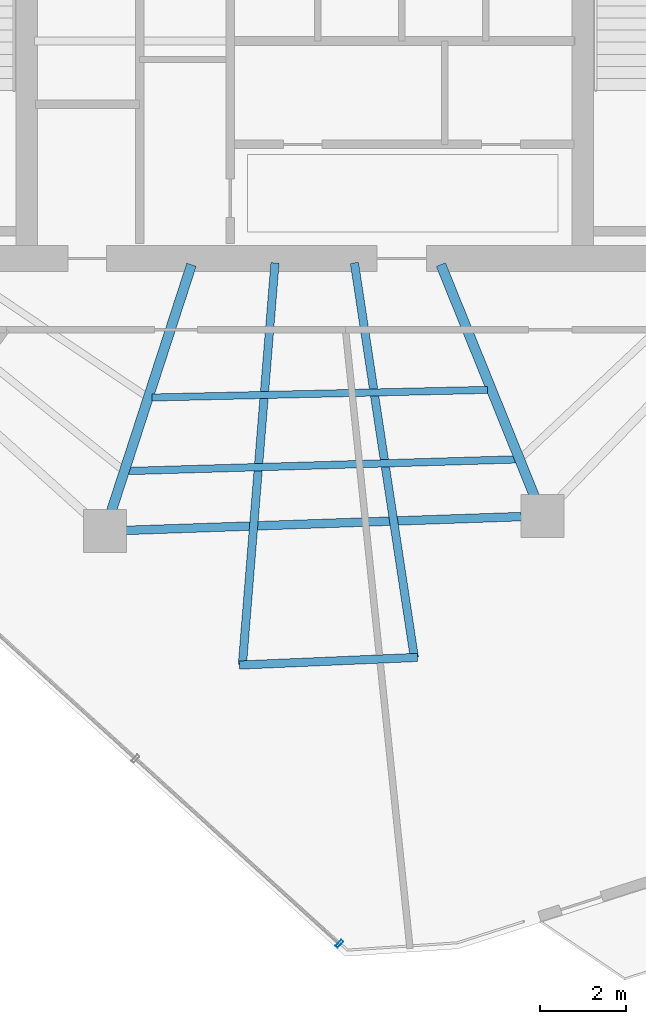
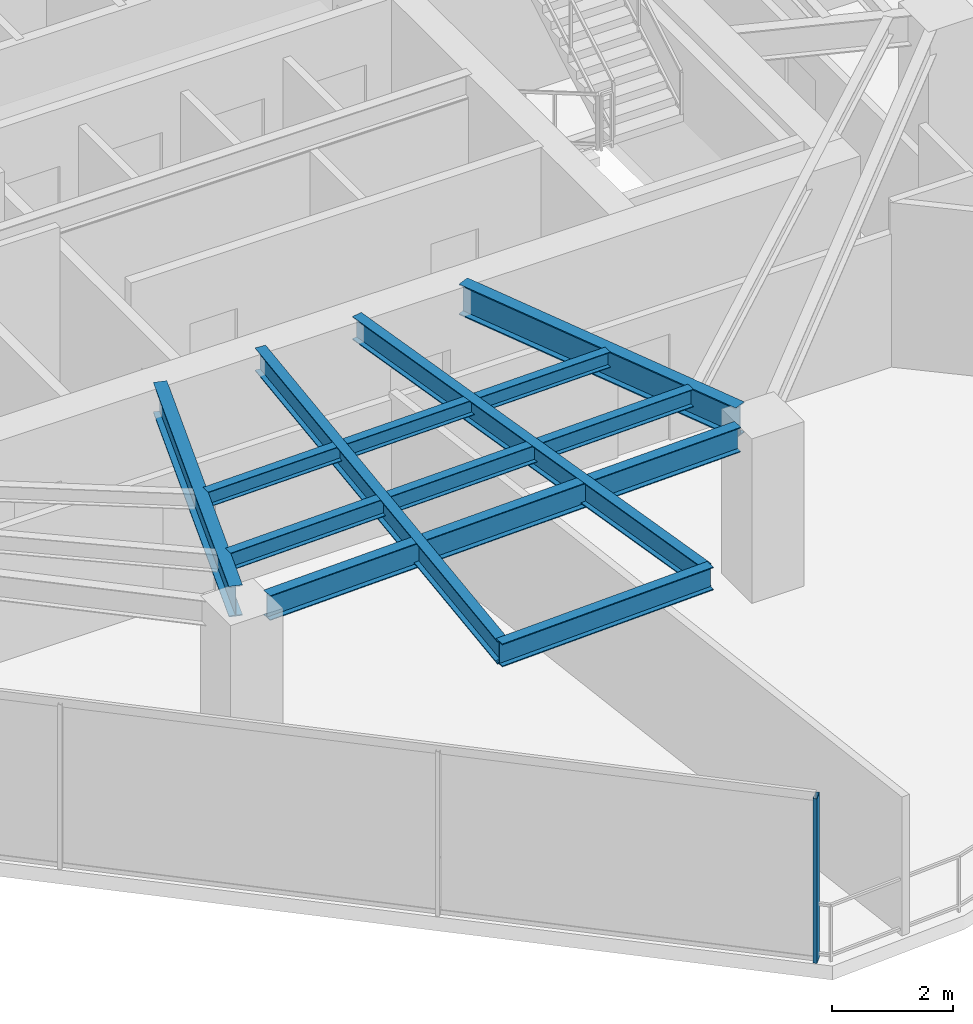
# One storey, part 5 of 21: 8 beams, 1 member, 1 element without a shape of its own.
"""IFC4 building model written with IfcOpenShell, lengths in metres."""

from ifc_helpers import new_model, si_unit, direction, frame, origin, origin_2d, place, context, subcontext, project, spatial, hollow_rectangle, i_section, extrude, material, layer, layer_set, material_profile, profile_set, type_object, element, aggregate, save


model = new_model("IFC4")

# Units and contexts
model_context = context("Model", 3, precision=1e-05, world=origin(), true_north=direction((0.0, 1.0)))
body_context = subcontext(model_context, "Body", "Model", "MODEL_VIEW")
ifc_project = project(units=[si_unit("LENGTHUNIT", "METRE"), si_unit("AREAUNIT", "SQUARE_METRE"), si_unit("VOLUMEUNIT", "CUBIC_METRE"), si_unit("PLANEANGLEUNIT", "RADIAN"), si_unit("MASSUNIT", "GRAM", prefix="KILO")], contexts=[model_context])

# Site, building, storey
site_placement = place(None, origin())
site = spatial("IfcSite", under=ifc_project, at=site_placement, CompositionType="ELEMENT")
building_placement = place(site_placement, origin())
building = spatial("IfcBuilding", under=site, at=building_placement, Name="Qarnah Convention Tower", CompositionType="ELEMENT")
storey_placement = place(building_placement, frame((0.0, 0.0, 132.89990234375)))
storey = spatial("IfcBuildingStorey", under=building, at=storey_placement, Name="L35", CompositionType="ELEMENT", Elevation=132.89990234375)

# Beams
ifc_material_1 = material(Name="Structural steel S355JR", Category="steel")
ifc_material_profile_1 = material_profile(ifc_material_1, i_section(OverallWidth=0.19189453125, OverallDepth=0.464111328125, WebThickness=0.010986328125, FlangeThickness=0.01806640625, at=origin_2d()), Name="W460X89")
ifc_profile_set_1 = profile_set([ifc_material_profile_1], Name="Structural steel S355JR")
beam_type_1 = type_object("IfcBeamType", Name="BM-CANT-W460A", PredefinedType="BEAM", material=ifc_profile_set_1)
beam_1_placement = place(storey_placement, frame((38.40087890625, 18.5009765625, 3.088134765625), z_axis=(0.150195006727, -0.988656391247, 0.0), x_axis=(0.988656391247, 0.150195006727, 0.0)))
element("IfcBeam", 1, at=beam_1_placement, inside=storey, type_object=beam_type_1, Name="L35 beam BM-L35-CNT-03-1", PredefinedType="BEAM", context=body_context, shape_type="SweptSolid", body=[
    extrude(i_section(OverallWidth=0.19189453125, OverallDepth=0.464111328125, WebThickness=0.010986328125, FlangeThickness=0.01806640625, at=origin_2d()), origin(), (0.0, 0.0, 1.0), 9.261962890625),
])
beam_2_placement = place(storey_placement, frame((36.55810546875, 18.5, 3.088134765625), z_axis=(-0.080897121946, -0.996722456685, 0.0), x_axis=(0.996722456685, -0.080897121946, 0.0)))
element("IfcBeam", 2, at=beam_2_placement, inside=storey, type_object=beam_type_1, Name="L35 beam BM-L35-CNT-03-2", PredefinedType="BEAM", context=body_context, shape_type="SweptSolid", body=[
    extrude(i_section(OverallWidth=0.19189453125, OverallDepth=0.464111328125, WebThickness=0.010986328125, FlangeThickness=0.01806640625, at=origin_2d()), origin(), (0.0, 0.0, 1.0), 9.358642578125),
])
beam_3_placement = place(storey_placement, frame((39.862060546875, 9.346923828125, 3.088134765625), z_axis=(-0.999073236436, -0.043042632785, 0.0), x_axis=(0.043042632785, -0.999073236436, 0.0)))
element("IfcBeam", 3, at=beam_3_placement, inside=storey, type_object=beam_type_1, Name="L35 spandrel BM-L35-CTIE-03", PredefinedType="SPANDREL", context=body_context, shape_type="SweptSolid", body=[
    extrude(i_section(OverallWidth=0.19189453125, OverallDepth=0.464111328125, WebThickness=0.010986328125, FlangeThickness=0.01806640625, at=origin_2d()), origin(), (0.0, 0.0, 1.0), 4.135009765625),
])
ifc_material_profile_2 = material_profile(ifc_material_1, i_section(OverallWidth=0.166015625, OverallDepth=0.31201171875, WebThickness=0.007080078125, FlangeThickness=0.010986328125, at=origin_2d()), Name="W310X45")
ifc_profile_set_2 = profile_set([ifc_material_profile_2], Name="Structural steel S355JR")
beam_type_2 = type_object("IfcBeamType", Name="BM-JST-W310", PredefinedType="JOIST", material=ifc_profile_set_2)
beam_4_placement = place(storey_placement, frame((33.7080078125, 15.376953125, 3.1640625), z_axis=(0.999741495438, 0.022736365137, 0.0), x_axis=(-0.022736365137, 0.999741495438, 0.0)))
element("IfcBeam", 4, at=beam_4_placement, inside=storey, type_object=beam_type_2, Name="L35 joist BM-L35-IJST-07", PredefinedType="JOIST", context=body_context, shape_type="SweptSolid", body=[
    extrude(i_section(OverallWidth=0.166015625, OverallDepth=0.31201171875, WebThickness=0.007080078125, FlangeThickness=0.010986328125, at=origin_2d()), origin(), (0.0, 0.0, 1.0), 7.784912109375),
])
ifc_material_profile_3 = material_profile(ifc_material_1, i_section(OverallWidth=0.172119140625, OverallDepth=0.35595703125, WebThickness=0.007080078125, FlangeThickness=0.011962890625, at=origin_2d()), Name="W360X51")
ifc_profile_set_3 = profile_set([ifc_material_profile_3], Name="Structural steel S355JR")
beam_type_3 = type_object("IfcBeamType", Name="BM-JST-W360", PredefinedType="JOIST", material=ifc_profile_set_3)
beam_5_placement = place(storey_placement, frame((33.153076171875, 13.6708984375, 3.14208984375), z_axis=(0.999549139183, 0.030025295308, 0.0), x_axis=(-0.030025295308, 0.999549139183, 0.0)))
element("IfcBeam", 5, at=beam_5_placement, inside=storey, type_object=beam_type_3, Name="L35 joist BM-L35-SJST-07", PredefinedType="JOIST", context=body_context, shape_type="SweptSolid", body=[
    extrude(i_section(OverallWidth=0.172119140625, OverallDepth=0.35595703125, WebThickness=0.007080078125, FlangeThickness=0.011962890625, at=origin_2d()), origin(), (0.0, 0.0, 1.0), 8.9931640625),
])
ifc_material_profile_4 = material_profile(ifc_material_1, i_section(OverallWidth=0.22998046875, OverallDepth=0.617919921875, WebThickness=0.012939453125, FlangeThickness=0.02197265625, at=origin_2d()), Name="W610X140")
ifc_profile_set_4 = profile_set([ifc_material_profile_4], Name="Structural steel S355JR")
beam_type_4 = type_object("IfcBeamType", Name="BM-RAD-W610A", PredefinedType="BEAM", material=ifc_profile_set_4)
beam_6_placement = place(storey_placement, frame((34.6201171875, 18.45703125, 3.010986328125), z_axis=(-0.30919796314, -0.950997696942, 0.0), x_axis=(0.950997696942, -0.30919796314, 0.0)))
element("IfcBeam", 6, at=beam_6_placement, inside=storey, type_object=beam_type_4, Name="L35 beam BM-L35-RAD-07", PredefinedType="BEAM", context=body_context, shape_type="SweptSolid", body=[
    extrude(i_section(OverallWidth=0.22998046875, OverallDepth=0.617919921875, WebThickness=0.012939453125, FlangeThickness=0.02197265625, at=origin_2d()), origin(), (0.0, 0.0, 1.0), 6.01904296875),
])
beam_7_placement = place(storey_placement, frame((40.406982421875, 18.4609375, 3.010986328125), z_axis=(0.374656949885, -0.927163507642, 0.0), x_axis=(0.927163507642, 0.374656949885, 0.0)))
element("IfcBeam", 7, at=beam_7_placement, inside=storey, type_object=beam_type_4, Name="L35 beam BM-L35-RAD-08", PredefinedType="BEAM", context=body_context, shape_type="SweptSolid", body=[
    extrude(i_section(OverallWidth=0.22998046875, OverallDepth=0.617919921875, WebThickness=0.012939453125, FlangeThickness=0.02197265625, at=origin_2d()), origin(), (0.0, 0.0, 1.0), 5.80810546875),
])
ifc_material_profile_5 = material_profile(ifc_material_1, i_section(OverallWidth=0.199951171875, OverallDepth=0.5, WebThickness=0.010009765625, FlangeThickness=0.01611328125, at=origin_2d()), Name="IPE500")
ifc_profile_set_5 = profile_set([ifc_material_profile_5], Name="Structural steel S355JR")
beam_type_5 = type_object("IfcBeamType", Name="BM-SPN-IPE500", PredefinedType="SPANDREL", material=ifc_profile_set_5)
beam_8_placement = place(storey_placement, frame((33.10107421875, 12.2939453125, 3.070068359375), z_axis=(0.999391665003, 0.034875491717, 0.0), x_axis=(-0.034875491717, 0.999391665003, 0.0)))
element("IfcBeam", 8, at=beam_8_placement, inside=storey, type_object=beam_type_5, Name="L35 spandrel BM-L35-SPN-07", PredefinedType="SPANDREL", context=body_context, shape_type="SweptSolid", body=[
    extrude(i_section(OverallWidth=0.199951171875, OverallDepth=0.5, WebThickness=0.010009765625, FlangeThickness=0.01611328125, at=origin_2d()), origin(), (0.0, 0.0, 1.0), 9.177490234375),
])

# Curtain wall, member
ifc_material_2 = material(Name="Tempered Low-E dark glass", Category="glass")
ifc_layer = layer(ifc_material_2, 0.172119140625)
ifc_layer_set = layer_set([ifc_layer], Name="Tempered Low-E dark glass")
curtain_wall_type = type_object("IfcCurtainWallType", Name="CWS-03", PredefinedType="NOTDEFINED", material=ifc_layer_set)
curtain_wall_placement = place(storey_placement, origin())
curtain_wall = element("IfcCurtainWall", 9, at=curtain_wall_placement, inside=storey, type_object=curtain_wall_type, Name="L35 unitised curtain wall CW-L35-F1", PredefinedType="NOTDEFINED")
ifc_material_3 = material(Name="Black anodised aluminium", Category="aluminium")
ifc_material_profile_6 = material_profile(ifc_material_3, hollow_rectangle(XDim=0.070068359375, YDim=0.199951171875, WallThickness=0.0048828125, at=origin_2d()), Name="MUL-70X200")
ifc_profile_set_6 = profile_set([ifc_material_profile_6], Name="Black anodised aluminium")
member_type = type_object("IfcMemberType", Name="MUL-T3", PredefinedType="MULLION", material=ifc_profile_set_6)
member_placement = place(storey_placement, frame((38.050048828125, 2.702880859375, 0.0), z_axis=(0.0, 0.0, 1.0), x_axis=(-0.740352220508, 0.672219152947, 0.0)))
member = element("IfcMember", 10, at=member_placement, type_object=member_type, Name="CW-L35-F1 mullion 1", PredefinedType="MULLION", context=body_context, shape_type="SweptSolid", body=[
    extrude(hollow_rectangle(XDim=0.070068359375, YDim=0.199951171875, WallThickness=0.0048828125, at=origin_2d()), origin(), (0.0, 0.0, 1.0), 3.320068359375),
])
aggregate(curtain_wall, [member])

save(model, "model.ifc")
